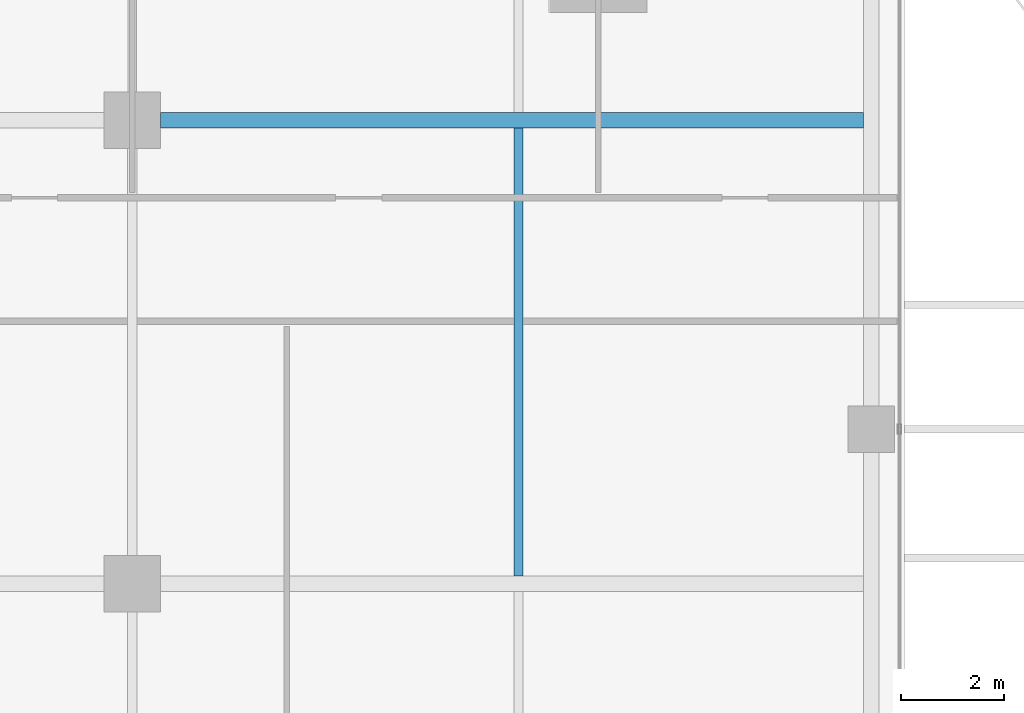
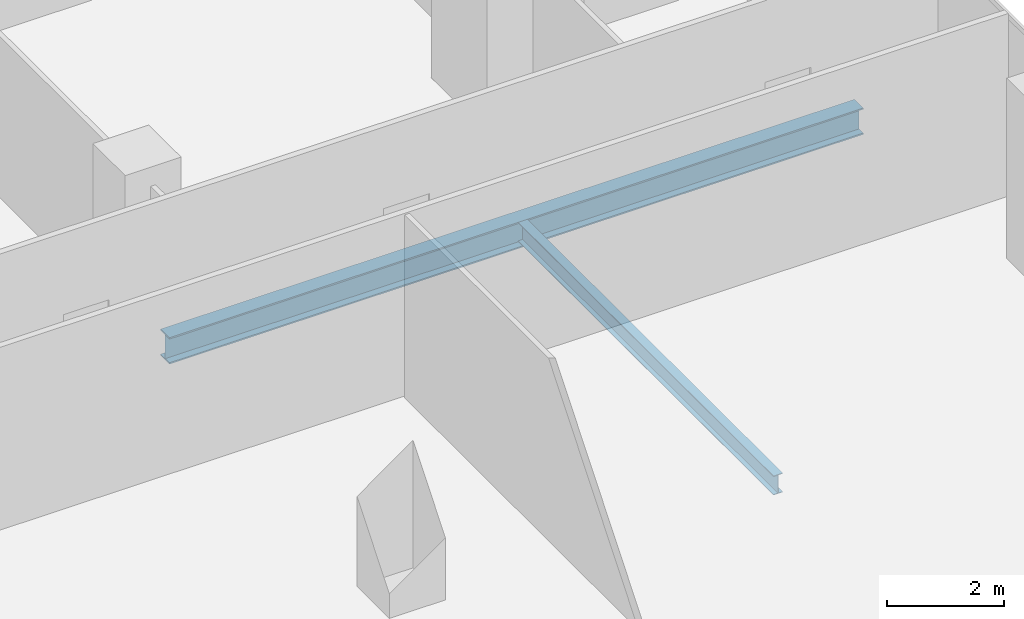
# One storey, part 18 of 35: 2 beams.
"""IFC4 building model written with IfcOpenShell, lengths in metres."""

from ifc_helpers import new_model, si_unit, direction, frame, origin, origin_2d, place, context, subcontext, project, spatial, i_section, extrude, source, transform, mapped, material, material_profile, profile_set, type_object, element, save


model = new_model("IFC4")

# Units and contexts
model_context = context("Model", 3, precision=1e-05, world=origin(), true_north=direction((0.0, 1.0)))
body_context = subcontext(model_context, "Body", "Model", "MODEL_VIEW")
ifc_project = project(units=[si_unit("LENGTHUNIT", "METRE"), si_unit("AREAUNIT", "SQUARE_METRE"), si_unit("VOLUMEUNIT", "CUBIC_METRE"), si_unit("PLANEANGLEUNIT", "RADIAN"), si_unit("MASSUNIT", "GRAM", prefix="KILO")], contexts=[model_context])

# Site, building, storey
site_placement = place(None, origin())
site = spatial("IfcSite", under=ifc_project, at=site_placement, CompositionType="ELEMENT")
building_placement = place(site_placement, origin())
building = spatial("IfcBuilding", under=site, at=building_placement, Name="Khomas Fold Tower", CompositionType="ELEMENT")
storey_placement = place(building_placement, frame((0.0, 0.0, 266.199951171875)))
storey = spatial("IfcBuildingStorey", under=building, at=storey_placement, Name="L60", CompositionType="ELEMENT", Elevation=266.199951171875)

# Beams
ifc_material_1 = material(Name="Steel S355", Category="steel")
ifc_material_profile_1 = material_profile(ifc_material_1, i_section(OverallWidth=0.179931640625, OverallDepth=0.39990234375, WebThickness=0.008544921875, FlangeThickness=0.013427734375, at=origin_2d()), Name="IPE 400")
ifc_profile_set_1 = profile_set([ifc_material_profile_1], Name="Steel S355")
beam_type_1 = type_object("IfcBeamType", Name="IPE 400 beam JB3", PredefinedType="BEAM", material=ifc_profile_set_1)
shared_shape_1 = source(origin(), body_context, "Body", "SweptSolid", [
    extrude(i_section(OverallWidth=0.179931640625, OverallDepth=0.39990234375, WebThickness=0.008544921875, FlangeThickness=0.013427734375, at=origin_2d()), origin(), (0.0, 0.0, 1.0), 8.7001953125),
])
beam_1_placement = place(storey_placement, frame((42.0, 31.64990234375, -0.449951171875), z_axis=(0.0, 1.0, 0.0), x_axis=(-1.0, 0.0, 0.0)))
element("IfcBeam", 1, at=beam_1_placement, inside=storey, type_object=beam_type_1, Name="JB3", PredefinedType="BEAM", context=body_context, shape_type="MappedRepresentation", body=[
    mapped(shared_shape_1, transform((0.0, 0.0, 0.0))),
])
ifc_material_2 = material(Name="Steel S355", Category="steel")
ifc_material_profile_2 = material_profile(ifc_material_2, i_section(OverallWidth=0.300048828125, OverallDepth=0.550048828125, WebThickness=0.014892578125, FlangeThickness=0.029052734375, at=origin_2d()), Name="HE 550 B")
ifc_profile_set_2 = profile_set([ifc_material_profile_2], Name="Steel S355")
beam_type_2 = type_object("IfcBeamType", Name="HE 550 B beam GB4", PredefinedType="BEAM", material=ifc_profile_set_2)
shared_shape_2 = source(origin(), body_context, "Body", "SweptSolid", [
    extrude(i_section(OverallWidth=0.300048828125, OverallDepth=0.550048828125, WebThickness=0.014892578125, FlangeThickness=0.029052734375, at=origin_2d()), origin(), (0.0, 0.0, 1.0), 13.64990234375),
])
beam_2_placement = place(storey_placement, frame((35.050048828125, 40.5, -0.52490234375), z_axis=(1.0, 0.0, 0.0), x_axis=(0.0, 1.0, 0.0)))
element("IfcBeam", 2, at=beam_2_placement, inside=storey, type_object=beam_type_2, Name="GB4", PredefinedType="BEAM", context=body_context, shape_type="MappedRepresentation", body=[
    mapped(shared_shape_2, transform((0.0, 0.0, 0.0))),
])

save(model, "model.ifc")
